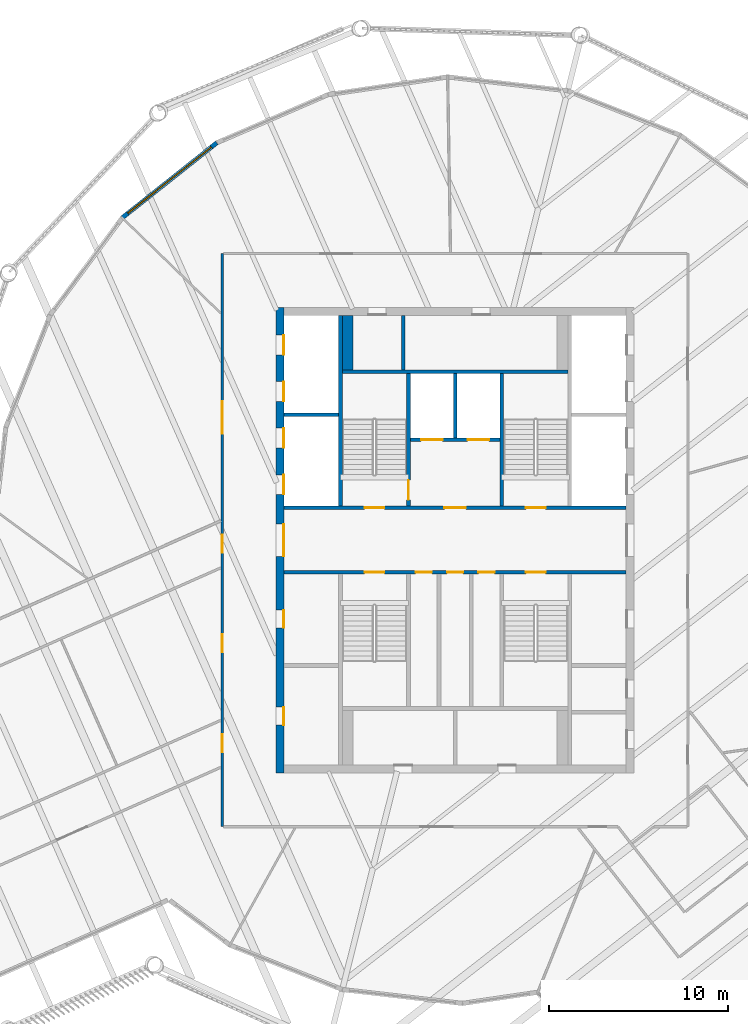
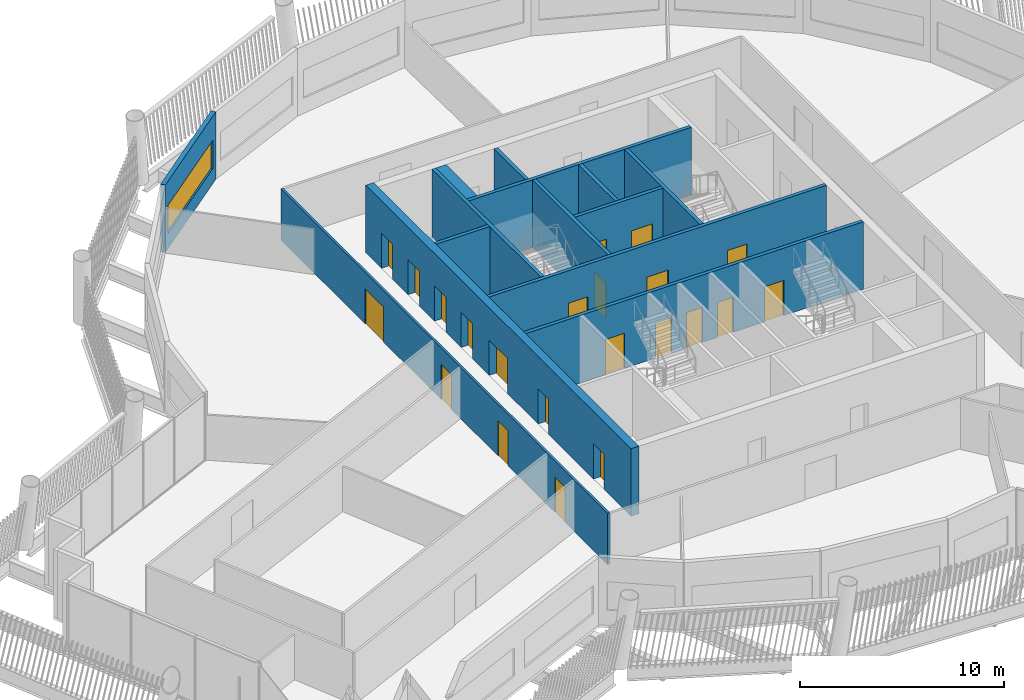
# One storey, part 18 of 28: 22 doors, 14 walls, 1 window, 23 openings.
"""IFC4 building model written with IfcOpenShell, lengths in metres."""

from ifc_helpers import new_model, si_unit, direction, frame, frame_2d, origin, place, context, subcontext, project, spatial, rectangle, extrude, material, layer, layer_set, type_object, element, fill, save


model = new_model("IFC4")

# Units and contexts
model_context = context("Model", 3, precision=1e-05, world=origin(), true_north=direction((0.0, 1.0)))
body_context = subcontext(model_context, "Body", "Model", "MODEL_VIEW")
ifc_project = project(units=[si_unit("LENGTHUNIT", "METRE"), si_unit("AREAUNIT", "SQUARE_METRE"), si_unit("VOLUMEUNIT", "CUBIC_METRE"), si_unit("PLANEANGLEUNIT", "RADIAN"), si_unit("MASSUNIT", "GRAM", prefix="KILO")], contexts=[model_context])

# Site, building, storey
site_placement = place(None, origin())
site = spatial("IfcSite", under=ifc_project, at=site_placement, CompositionType="ELEMENT")
building_placement = place(site_placement, origin())
building = spatial("IfcBuilding", under=site, at=building_placement, Name="Tarsis Ring Headquarters", CompositionType="ELEMENT")
storey_placement = place(building_placement, frame((0.0, 0.0, 381.800048828125)))
storey = spatial("IfcBuildingStorey", under=building, at=storey_placement, Name="L90", CompositionType="ELEMENT", Elevation=381.800048828125)

# Wall
ifc_material_1 = material(Name="Blockwork", Category="masonry")
ifc_layer_1 = layer(ifc_material_1, 0.199951171875)
ifc_layer_set_1 = layer_set([ifc_layer_1], Name="Core blockwork wall 200")
wall_type_1 = type_object("IfcWallType", Name="Core blockwork wall 200", PredefinedType="PARTITIONING", material=ifc_layer_set_1)
wall_1_placement = place(storey_placement, frame((-2.89990234375, 9.5, 0.0), z_axis=(0.0, 0.0, 1.0), x_axis=(0.0, 1.0, 0.0)))
element("IfcWall", 1, at=wall_1_placement, inside=storey, type_object=wall_type_1, Name="Core partition ND1", PredefinedType="PARTITIONING", context=body_context, shape_type="SweptSolid", body=[
    extrude(rectangle(XDim=3.050048828125, YDim=0.199951171875, at=frame_2d((1.52490234375, 0.0))), origin(), (0.0, 0.0, 1.0), 4.0400390625),
])

# Wall, openings, doors
ifc_material_2 = material(Name="Concrete C50/60", Category="concrete")
ifc_layer_2 = layer(ifc_material_2, 0.449951171875)
ifc_layer_set_2 = layer_set([ifc_layer_2], Name="Core wall 450 C50/60")
wall_type_2 = type_object("IfcWallType", Name="Core wall 450 C50/60", PredefinedType="SHEAR", material=ifc_layer_set_2)
wall_2_placement = place(storey_placement, frame((-9.77490234375, -13.0, 0.0), z_axis=(0.0, 0.0, 1.0), x_axis=(0.0, 1.0, 0.0)))
wall_2 = element("IfcWall", 2, at=wall_2_placement, inside=storey, type_object=wall_type_2, Name="Core wall OW", PredefinedType="SHEAR", context=body_context, shape_type="SweptSolid", body=[
    extrude(rectangle(XDim=26.0, YDim=0.449951171875, at=frame_2d((13.0, 0.0))), origin(), (0.0, 0.0, 1.0), 4.0400390625),
])
opening_1_placement = place(wall_2_placement, frame((2.675048828125, 0.0, 0.0)))
opening_1 = element("IfcOpeningElement", 3, at=opening_1_placement, cuts=wall_2, Name="Opening L90-C01", PredefinedType="OPENING", context=body_context, shape_type="SweptSolid", body=[
    extrude(rectangle(XDim=1.0, YDim=2.10009765625, at=frame_2d((0.5, 1.050048828125))), frame((0.0, 0.23486328125, 0.0), z_axis=(0.0, -1.0, 0.0), x_axis=(1.0, 0.0, 0.0)), (0.0, 0.0, 1.0), 0.469970703125),
])
opening_2_placement = place(wall_2_placement, frame((8.10009765625, 0.0, 0.0)))
opening_2 = element("IfcOpeningElement", 4, at=opening_2_placement, cuts=wall_2, Name="Opening L90-C02", PredefinedType="OPENING", context=body_context, shape_type="SweptSolid", body=[
    extrude(rectangle(XDim=1.0, YDim=2.10009765625, at=frame_2d((0.5, 1.050048828125))), frame((0.0, 0.23486328125, 0.0), z_axis=(0.0, -1.0, 0.0), x_axis=(1.0, 0.0, 0.0)), (0.0, 0.0, 1.0), 0.469970703125),
])
opening_3_placement = place(wall_2_placement, frame((12.10009765625, 0.0, 0.0)))
opening_3 = element("IfcOpeningElement", 5, at=opening_3_placement, cuts=wall_2, Name="Opening L90-C03", PredefinedType="OPENING", context=body_context, shape_type="SweptSolid", body=[
    extrude(rectangle(XDim=1.800048828125, YDim=2.10009765625, at=frame_2d((0.89990234375, 1.050048828125))), frame((0.0, 0.23486328125, 0.0), z_axis=(0.0, -1.0, 0.0), x_axis=(1.0, 0.0, 0.0)), (0.0, 0.0, 1.0), 0.469970703125),
])
opening_4_placement = place(wall_2_placement, frame((15.550048828125, 0.0, 0.0)))
opening_4 = element("IfcOpeningElement", 6, at=opening_4_placement, cuts=wall_2, Name="Opening LD-HR1", PredefinedType="OPENING", context=body_context, shape_type="SweptSolid", body=[
    extrude(rectangle(XDim=1.10009765625, YDim=2.10009765625, at=frame_2d((0.550048828125, 1.050048828125))), frame((0.0, 0.23486328125, 0.0), z_axis=(0.0, -1.0, 0.0), x_axis=(1.0, 0.0, 0.0)), (0.0, 0.0, 1.0), 0.469970703125),
])
opening_5_placement = place(wall_2_placement, frame((18.14990234375, 0.0, 0.0)))
opening_5 = element("IfcOpeningElement", 7, at=opening_5_placement, cuts=wall_2, Name="Opening LD-HR2", PredefinedType="OPENING", context=body_context, shape_type="SweptSolid", body=[
    extrude(rectangle(XDim=1.10009765625, YDim=2.10009765625, at=frame_2d((0.550048828125, 1.050048828125))), frame((0.0, 0.23486328125, 0.0), z_axis=(0.0, -1.0, 0.0), x_axis=(1.0, 0.0, 0.0)), (0.0, 0.0, 1.0), 0.469970703125),
])
opening_6_placement = place(wall_2_placement, frame((20.75, 0.0, 0.0)))
opening_6 = element("IfcOpeningElement", 8, at=opening_6_placement, cuts=wall_2, Name="Opening LD-HR3", PredefinedType="OPENING", context=body_context, shape_type="SweptSolid", body=[
    extrude(rectangle(XDim=1.10009765625, YDim=2.10009765625, at=frame_2d((0.550048828125, 1.050048828125))), frame((0.0, 0.23486328125, 0.0), z_axis=(0.0, -1.0, 0.0), x_axis=(1.0, 0.0, 0.0)), (0.0, 0.0, 1.0), 0.469970703125),
])
opening_7_placement = place(wall_2_placement, frame((23.35009765625, 0.0, 0.0)))
opening_7 = element("IfcOpeningElement", 9, at=opening_7_placement, cuts=wall_2, Name="Opening LD-HR4", PredefinedType="OPENING", context=body_context, shape_type="SweptSolid", body=[
    extrude(rectangle(XDim=1.10009765625, YDim=2.10009765625, at=frame_2d((0.550048828125, 1.050048828125))), frame((0.0, 0.23486328125, 0.0), z_axis=(0.0, -1.0, 0.0), x_axis=(1.0, 0.0, 0.0)), (0.0, 0.0, 1.0), 0.469970703125),
])
ifc_material_3 = material(Name="Steel S355", Category="steel")
door_type_1 = type_object("IfcDoorType", Name="Core entry door 1800x2100", OperationType="DOUBLE_DOOR_SINGLE_SWING", PredefinedType="DOOR", material=ifc_material_3)
door_1_placement = place(opening_3_placement, origin())
door_1 = element("IfcDoor", 10, at=door_1_placement, inside=storey, type_object=door_type_1, Name="Core entry door L90", OperationType="DOUBLE_DOOR_SINGLE_SWING", OverallHeight=2.10009765625, OverallWidth=1.800048828125, PredefinedType="DOOR", context=body_context, shape_type="SweptSolid", body=[
    extrude(rectangle(XDim=1.800048828125, YDim=2.10009765625, at=frame_2d((0.89990234375, 1.050048828125))), frame((0.0, -0.1748046875, 0.0), z_axis=(0.0, -1.0, 0.0), x_axis=(1.0, 0.0, 0.0)), (0.0, 0.0, 1.0), 0.050048828125),
])
fill(opening_3, door_1)
door_type_2 = type_object("IfcDoorType", Name="Core room door 1000x2100", OperationType="SINGLE_SWING_LEFT", PredefinedType="DOOR", material=ifc_material_3)
door_2_placement = place(opening_1_placement, origin())
door_2 = element("IfcDoor", 11, at=door_2_placement, inside=storey, type_object=door_type_2, Name="Core room door L90", OperationType="SINGLE_SWING_LEFT", OverallHeight=2.10009765625, OverallWidth=1.0, PredefinedType="DOOR", context=body_context, shape_type="SweptSolid", body=[
    extrude(rectangle(XDim=1.0, YDim=2.10009765625, at=frame_2d((0.5, 1.050048828125))), frame((0.0, -0.1748046875, 0.0), z_axis=(0.0, -1.0, 0.0), x_axis=(1.0, 0.0, 0.0)), (0.0, 0.0, 1.0), 0.050048828125),
])
fill(opening_1, door_2)
door_3_placement = place(opening_2_placement, origin())
door_3 = element("IfcDoor", 12, at=door_3_placement, inside=storey, type_object=door_type_2, Name="Core room door L90", OperationType="SINGLE_SWING_LEFT", OverallHeight=2.10009765625, OverallWidth=1.0, PredefinedType="DOOR", context=body_context, shape_type="SweptSolid", body=[
    extrude(rectangle(XDim=1.0, YDim=2.10009765625, at=frame_2d((0.5, 1.050048828125))), frame((0.0, -0.1748046875, 0.0), z_axis=(0.0, -1.0, 0.0), x_axis=(1.0, 0.0, 0.0)), (0.0, 0.0, 1.0), 0.050048828125),
])
fill(opening_2, door_3)
door_type_3 = type_object("IfcDoorType", Name="Landing door 1100x2100", OperationType="SLIDING_TO_LEFT", PredefinedType="DOOR", material=ifc_material_3)
door_4_placement = place(opening_4_placement, origin())
door_4 = element("IfcDoor", 13, at=door_4_placement, inside=storey, type_object=door_type_3, Name="Landing door HR1 L90", OperationType="SLIDING_TO_LEFT", OverallHeight=2.10009765625, OverallWidth=1.10009765625, PredefinedType="DOOR", context=body_context, shape_type="SweptSolid", body=[
    extrude(rectangle(XDim=1.10009765625, YDim=2.10009765625, at=frame_2d((0.550048828125, 1.050048828125))), frame((0.0, -0.1748046875, 0.0), z_axis=(0.0, -1.0, 0.0), x_axis=(1.0, 0.0, 0.0)), (0.0, 0.0, 1.0), 0.050048828125),
])
fill(opening_4, door_4)
door_5_placement = place(opening_5_placement, origin())
door_5 = element("IfcDoor", 14, at=door_5_placement, inside=storey, type_object=door_type_3, Name="Landing door HR2 L90", OperationType="SLIDING_TO_LEFT", OverallHeight=2.10009765625, OverallWidth=1.10009765625, PredefinedType="DOOR", context=body_context, shape_type="SweptSolid", body=[
    extrude(rectangle(XDim=1.10009765625, YDim=2.10009765625, at=frame_2d((0.550048828125, 1.050048828125))), frame((0.0, -0.1748046875, 0.0), z_axis=(0.0, -1.0, 0.0), x_axis=(1.0, 0.0, 0.0)), (0.0, 0.0, 1.0), 0.050048828125),
])
fill(opening_5, door_5)
door_6_placement = place(opening_6_placement, origin())
door_6 = element("IfcDoor", 15, at=door_6_placement, inside=storey, type_object=door_type_3, Name="Landing door HR3 L90", OperationType="SLIDING_TO_LEFT", OverallHeight=2.10009765625, OverallWidth=1.10009765625, PredefinedType="DOOR", context=body_context, shape_type="SweptSolid", body=[
    extrude(rectangle(XDim=1.10009765625, YDim=2.10009765625, at=frame_2d((0.550048828125, 1.050048828125))), frame((0.0, -0.1748046875, 0.0), z_axis=(0.0, -1.0, 0.0), x_axis=(1.0, 0.0, 0.0)), (0.0, 0.0, 1.0), 0.050048828125),
])
fill(opening_6, door_6)
door_7_placement = place(opening_7_placement, origin())
door_7 = element("IfcDoor", 16, at=door_7_placement, inside=storey, type_object=door_type_3, Name="Landing door HR4 L90", OperationType="SLIDING_TO_LEFT", OverallHeight=2.10009765625, OverallWidth=1.10009765625, PredefinedType="DOOR", context=body_context, shape_type="SweptSolid", body=[
    extrude(rectangle(XDim=1.10009765625, YDim=2.10009765625, at=frame_2d((0.550048828125, 1.050048828125))), frame((0.0, -0.1748046875, 0.0), z_axis=(0.0, -1.0, 0.0), x_axis=(1.0, 0.0, 0.0)), (0.0, 0.0, 1.0), 0.050048828125),
])
fill(opening_7, door_7)

ifc_material_4 = material(Name="Gypsum board on steel studs", Category="steel")
ifc_layer_3 = layer(ifc_material_4, 0.125)
ifc_layer_set_3 = layer_set([ifc_layer_3], Name="FL partition 125 EI 60 H3070")
wall_type_3 = type_object("IfcWallType", Name="FL partition 125 EI 60 H3070", PredefinedType="PARTITIONING", material=ifc_layer_set_3)
wall_3_placement = place(storey_placement, frame((-13.0, -16.0, 0.0), z_axis=(0.0, 0.0, 1.0), x_axis=(0.0, 1.0, 0.0)))
wall_3 = element("IfcWall", 17, at=wall_3_placement, inside=storey, type_object=wall_type_3, Name="Partition PW1H307", PredefinedType="PARTITIONING", context=body_context, shape_type="SweptSolid", body=[
    extrude(rectangle(XDim=32.0, YDim=0.125, at=frame_2d((16.0, 0.0))), origin(), (0.0, 0.0, 1.0), 3.070068359375),
])
opening_8_placement = place(wall_3_placement, frame((21.951904296875, 0.0, 0.0)))
opening_8 = element("IfcOpeningElement", 18, at=opening_8_placement, cuts=wall_3, Name="Opening D90.03", PredefinedType="OPENING", context=body_context, shape_type="SweptSolid", body=[
    extrude(rectangle(XDim=1.800048828125, YDim=2.10009765625, at=frame_2d((0.89990234375, 1.050048828125))), frame((0.0, 0.072509765625, 0.0), z_axis=(0.0, -1.0, 0.0), x_axis=(1.0, 0.0, 0.0)), (0.0, 0.0, 1.0), 0.14501953125),
])
opening_9_placement = place(wall_3_placement, frame((9.73388671875, 0.0, 0.0)))
opening_9 = element("IfcOpeningElement", 19, at=opening_9_placement, cuts=wall_3, Name="Opening D90.10", PredefinedType="OPENING", context=body_context, shape_type="SweptSolid", body=[
    extrude(rectangle(XDim=1.0, YDim=2.10009765625, at=frame_2d((0.5, 1.050048828125))), frame((0.0, 0.072509765625, 0.0), z_axis=(0.0, -1.0, 0.0), x_axis=(1.0, 0.0, 0.0)), (0.0, 0.0, 1.0), 0.14501953125),
])
opening_10_placement = place(wall_3_placement, frame((4.16552734375, 0.0, 0.0)))
opening_10 = element("IfcOpeningElement", 20, at=opening_10_placement, cuts=wall_3, Name="Opening D90.14", PredefinedType="OPENING", context=body_context, shape_type="SweptSolid", body=[
    extrude(rectangle(XDim=1.0, YDim=2.10009765625, at=frame_2d((0.5, 1.050048828125))), frame((0.0, 0.072509765625, 0.0), z_axis=(0.0, -1.0, 0.0), x_axis=(1.0, 0.0, 0.0)), (0.0, 0.0, 1.0), 0.14501953125),
])
opening_11_placement = place(wall_3_placement, frame((15.302001953125, 0.0, 0.0)))
opening_11 = element("IfcOpeningElement", 21, at=opening_11_placement, cuts=wall_3, Name="Opening D90.15", PredefinedType="OPENING", context=body_context, shape_type="SweptSolid", body=[
    extrude(rectangle(XDim=1.0, YDim=2.10009765625, at=frame_2d((0.5, 1.050048828125))), frame((0.0, 0.072509765625, 0.0), z_axis=(0.0, -1.0, 0.0), x_axis=(1.0, 0.0, 0.0)), (0.0, 0.0, 1.0), 0.14501953125),
])
ifc_material_5 = material(Name="Fire-rated timber door leaf in steel frame", Category="steel")
door_type_4 = type_object("IfcDoorType", Name="FL door FD60-1000", OperationType="NOTDEFINED", PredefinedType="DOOR", material=ifc_material_5)
door_8_placement = place(opening_9_placement, origin())
door_8 = element("IfcDoor", 22, at=door_8_placement, inside=storey, type_object=door_type_4, Name="Door D90.10", OperationType="SINGLE_SWING_RIGHT", OverallHeight=2.10009765625, OverallWidth=1.0, PredefinedType="DOOR", context=body_context, shape_type="SweptSolid", body=[
    extrude(rectangle(XDim=1.0, YDim=2.10009765625, at=frame_2d((0.5, 1.050048828125))), frame((0.0, 0.02490234375, 0.0), z_axis=(0.0, -1.0, 0.0), x_axis=(1.0, 0.0, 0.0)), (0.0, 0.0, 1.0), 0.050048828125),
])
fill(opening_9, door_8)
door_9_placement = place(opening_10_placement, origin())
door_9 = element("IfcDoor", 23, at=door_9_placement, inside=storey, type_object=door_type_4, Name="Door D90.14", OperationType="SINGLE_SWING_RIGHT", OverallHeight=2.10009765625, OverallWidth=1.0, PredefinedType="DOOR", context=body_context, shape_type="SweptSolid", body=[
    extrude(rectangle(XDim=1.0, YDim=2.10009765625, at=frame_2d((0.5, 1.050048828125))), frame((0.0, 0.02490234375, 0.0), z_axis=(0.0, -1.0, 0.0), x_axis=(1.0, 0.0, 0.0)), (0.0, 0.0, 1.0), 0.050048828125),
])
fill(opening_10, door_9)
door_10_placement = place(opening_11_placement, origin())
door_10 = element("IfcDoor", 24, at=door_10_placement, inside=storey, type_object=door_type_4, Name="Door D90.15", OperationType="SINGLE_SWING_LEFT", OverallHeight=2.10009765625, OverallWidth=1.0, PredefinedType="DOOR", context=body_context, shape_type="SweptSolid", body=[
    extrude(rectangle(XDim=1.0, YDim=2.10009765625, at=frame_2d((0.5, 1.050048828125))), frame((0.0, 0.02490234375, 0.0), z_axis=(0.0, -1.0, 0.0), x_axis=(1.0, 0.0, 0.0)), (0.0, 0.0, 1.0), 0.050048828125),
])
fill(opening_11, door_10)
door_type_5 = type_object("IfcDoorType", Name="FL door FD60-1800", OperationType="DOUBLE_DOOR_SINGLE_SWING", PredefinedType="DOOR", material=ifc_material_5)
door_11_placement = place(opening_8_placement, origin())
door_11 = element("IfcDoor", 25, at=door_11_placement, inside=storey, type_object=door_type_5, Name="Door D90.03", OperationType="DOUBLE_DOOR_SINGLE_SWING", OverallHeight=2.10009765625, OverallWidth=1.800048828125, PredefinedType="DOOR", context=body_context, shape_type="SweptSolid", body=[
    extrude(rectangle(XDim=1.800048828125, YDim=2.10009765625, at=frame_2d((0.89990234375, 1.050048828125))), frame((0.0, 0.02490234375, 0.0), z_axis=(0.0, -1.0, 0.0), x_axis=(1.0, 0.0, 0.0)), (0.0, 0.0, 1.0), 0.050048828125),
])
fill(opening_8, door_11)

# Wall, opening, window
ifc_material_6 = material(Name="Terracotta clad insulated panel wall", Category="masonry")
ifc_layer_4 = layer(ifc_material_6, 0.25)
ifc_layer_set_4 = layer_set([ifc_layer_4], Name="Facade wall terracotta panel 250")
wall_type_4 = type_object("IfcWallType", Name="Facade wall terracotta panel 250", PredefinedType="STANDARD", material=ifc_layer_set_4)
wall_4_placement = place(storey_placement, frame((-13.307861328125, 22.1865234375, 0.0), z_axis=(0.0, 0.0, 1.0), x_axis=(-0.783498288872, -0.621393942145, 0.0)))
wall_4 = element("IfcWall", 26, at=wall_4_placement, inside=storey, type_object=wall_type_4, Name="External wall L90-27", PredefinedType="STANDARD", context=body_context, shape_type="SweptSolid", body=[
    extrude(rectangle(XDim=6.7216796875, YDim=0.25, at=frame_2d((3.36083984375, 0.0))), origin(), (0.0, 0.0, 1.0), 4.0400390625),
])
opening_12_placement = place(wall_4_placement, frame((0.3857421875, 0.0, 0.89990234375)))
opening_12 = element("IfcOpeningElement", 27, at=opening_12_placement, cuts=wall_4, Name="Opening WN07", PredefinedType="OPENING", context=body_context, shape_type="SweptSolid", body=[
    extrude(rectangle(XDim=5.949951171875, YDim=1.699951171875, at=frame_2d((2.97509765625, 0.85009765625))), frame((0.0, 0.135009765625, 0.0), z_axis=(0.0, -1.0, 0.0), x_axis=(1.0, 0.0, 0.0)), (0.0, 0.0, 1.0), 0.27001953125),
])
ifc_material_7 = material(Name="Aluminium framed double glazing", Category="aluminium")
window_type = type_object("IfcWindowType", Name="Facade window 5950 x 1700", PartitioningType="SINGLE_PANEL", PredefinedType="WINDOW", material=ifc_material_7)
window_placement = place(opening_12_placement, origin())
window = element("IfcWindow", 28, at=window_placement, inside=storey, type_object=window_type, Name="Window L90-27.1", OverallHeight=1.699951171875, OverallWidth=5.949951171875, PartitioningType="SINGLE_PANEL", PredefinedType="WINDOW", context=body_context, shape_type="SweptSolid", body=[
    extrude(rectangle(XDim=5.949951171875, YDim=1.699951171875, at=frame_2d((2.97509765625, 0.85009765625))), frame((0.0, 0.030029296875, 0.0), z_axis=(0.0, -1.0, 0.0), x_axis=(1.0, 0.0, 0.0)), (0.0, 0.0, 1.0), 0.06005859375),
])
fill(opening_12, window)

# Wall
ifc_material_8 = material(Name="Concrete C32/40", Category="concrete")
ifc_layer_5 = layer(ifc_material_8, 0.60009765625)
ifc_layer_set_5 = layer_set([ifc_layer_5], Name="Shaft end wall 600 C32/40")
wall_type_5 = type_object("IfcWallType", Name="Shaft end wall 600 C32/40", PredefinedType="SOLIDWALL", material=ifc_layer_set_5)
wall_5_placement = place(storey_placement, frame((-6.0, 9.5, 0.0), z_axis=(0.0, 0.0, 1.0), x_axis=(0.0, 1.0, 0.0)))
element("IfcWall", 29, at=wall_5_placement, inside=storey, type_object=wall_type_5, Name="Core shaft wall NNE1", PredefinedType="SOLIDWALL", context=body_context, shape_type="SweptSolid", body=[
    extrude(rectangle(XDim=3.050048828125, YDim=0.60009765625, at=frame_2d((1.52490234375, 0.0))), origin(), (0.0, 0.0, 1.0), 4.0400390625),
])

# Wall, openings, doors
ifc_layer_6 = layer(ifc_material_8, 0.199951171875)
ifc_layer_set_6 = layer_set([ifc_layer_6], Name="Shaft wall 200 C32/40")
wall_type_6 = type_object("IfcWallType", Name="Shaft wall 200 C32/40", PredefinedType="SOLIDWALL", material=ifc_layer_set_6)
wall_6_placement = place(storey_placement, frame((-9.550048828125, 1.800048828125, 0.0), z_axis=(0.0, 0.0, 1.0), x_axis=(1.0, 0.0, 0.0)))
wall_6 = element("IfcWall", 30, at=wall_6_placement, inside=storey, type_object=wall_type_6, Name="Core shaft wall CN", PredefinedType="SOLIDWALL", context=body_context, shape_type="SweptSolid", body=[
    extrude(rectangle(XDim=19.10009765625, YDim=0.199951171875, at=frame_2d((9.550048828125, 0.0))), origin(), (0.0, 0.0, 1.0), 4.0400390625),
])
opening_13_placement = place(wall_6_placement, frame((4.5, 0.0, 0.0)))
opening_13 = element("IfcOpeningElement", 31, at=opening_13_placement, cuts=wall_6, Name="Opening L90-C20", PredefinedType="OPENING", context=body_context, shape_type="SweptSolid", body=[
    extrude(rectangle(XDim=1.10009765625, YDim=2.10009765625, at=frame_2d((0.550048828125, 1.050048828125))), frame((0.0, 0.10986328125, 0.0), z_axis=(0.0, -1.0, 0.0), x_axis=(1.0, 0.0, 0.0)), (0.0, 0.0, 1.0), 0.219970703125),
])
opening_14_placement = place(wall_6_placement, frame((8.949951171875, 0.0, 0.0)))
opening_14 = element("IfcOpeningElement", 32, at=opening_14_placement, cuts=wall_6, Name="Opening L90-C21", PredefinedType="OPENING", context=body_context, shape_type="SweptSolid", body=[
    extrude(rectangle(XDim=1.199951171875, YDim=2.10009765625, at=frame_2d((0.60009765625, 1.050048828125))), frame((0.0, 0.10986328125, 0.0), z_axis=(0.0, -1.0, 0.0), x_axis=(1.0, 0.0, 0.0)), (0.0, 0.0, 1.0), 0.219970703125),
])
opening_15_placement = place(wall_6_placement, frame((13.5, 0.0, 0.0)))
opening_15 = element("IfcOpeningElement", 33, at=opening_15_placement, cuts=wall_6, Name="Opening L90-C22", PredefinedType="OPENING", context=body_context, shape_type="SweptSolid", body=[
    extrude(rectangle(XDim=1.10009765625, YDim=2.10009765625, at=frame_2d((0.550048828125, 1.050048828125))), frame((0.0, 0.10986328125, 0.0), z_axis=(0.0, -1.0, 0.0), x_axis=(1.0, 0.0, 0.0)), (0.0, 0.0, 1.0), 0.219970703125),
])
door_type_6 = type_object("IfcDoorType", Name="Firefighting lobby door 1200x2100", OperationType="DOUBLE_DOOR_SINGLE_SWING", PredefinedType="DOOR", material=ifc_material_3)
door_12_placement = place(opening_14_placement, origin())
door_12 = element("IfcDoor", 34, at=door_12_placement, inside=storey, type_object=door_type_6, Name="Firefighting lobby door L90", OperationType="DOUBLE_DOOR_SINGLE_SWING", OverallHeight=2.10009765625, OverallWidth=1.199951171875, PredefinedType="DOOR", context=body_context, shape_type="SweptSolid", body=[
    extrude(rectangle(XDim=1.199951171875, YDim=2.10009765625, at=frame_2d((0.60009765625, 1.050048828125))), frame((0.0, 0.02490234375, 0.0), z_axis=(0.0, -1.0, 0.0), x_axis=(1.0, 0.0, 0.0)), (0.0, 0.0, 1.0), 0.050048828125),
])
fill(opening_14, door_12)
door_type_7 = type_object("IfcDoorType", Name="Stair door 1100x2100", OperationType="SINGLE_SWING_LEFT", PredefinedType="DOOR", material=ifc_material_3)
door_13_placement = place(opening_13_placement, origin())
door_13 = element("IfcDoor", 35, at=door_13_placement, inside=storey, type_object=door_type_7, Name="Stair door L90", OperationType="SINGLE_SWING_LEFT", OverallHeight=2.10009765625, OverallWidth=1.10009765625, PredefinedType="DOOR", context=body_context, shape_type="SweptSolid", body=[
    extrude(rectangle(XDim=1.10009765625, YDim=2.10009765625, at=frame_2d((0.550048828125, 1.050048828125))), frame((0.0, 0.02490234375, 0.0), z_axis=(0.0, -1.0, 0.0), x_axis=(1.0, 0.0, 0.0)), (0.0, 0.0, 1.0), 0.050048828125),
])
fill(opening_13, door_13)
door_14_placement = place(opening_15_placement, origin())
door_14 = element("IfcDoor", 36, at=door_14_placement, inside=storey, type_object=door_type_7, Name="Stair door L90", OperationType="SINGLE_SWING_LEFT", OverallHeight=2.10009765625, OverallWidth=1.10009765625, PredefinedType="DOOR", context=body_context, shape_type="SweptSolid", body=[
    extrude(rectangle(XDim=1.10009765625, YDim=2.10009765625, at=frame_2d((0.550048828125, 1.050048828125))), frame((0.0, 0.02490234375, 0.0), z_axis=(0.0, -1.0, 0.0), x_axis=(1.0, 0.0, 0.0)), (0.0, 0.0, 1.0), 0.050048828125),
])
fill(opening_15, door_14)

wall_7_placement = place(storey_placement, frame((-9.550048828125, -1.800048828125, 0.0), z_axis=(0.0, 0.0, 1.0), x_axis=(1.0, 0.0, 0.0)))
wall_7 = element("IfcWall", 37, at=wall_7_placement, inside=storey, type_object=wall_type_6, Name="Core shaft wall CS", PredefinedType="SOLIDWALL", context=body_context, shape_type="SweptSolid", body=[
    extrude(rectangle(XDim=19.10009765625, YDim=0.199951171875, at=frame_2d((9.550048828125, 0.0))), origin(), (0.0, 0.0, 1.0), 4.0400390625),
])
opening_16_placement = place(wall_7_placement, frame((4.5, 0.0, 0.0)))
opening_16 = element("IfcOpeningElement", 38, at=opening_16_placement, cuts=wall_7, Name="Opening L90-C23", PredefinedType="OPENING", context=body_context, shape_type="SweptSolid", body=[
    extrude(rectangle(XDim=1.10009765625, YDim=2.10009765625, at=frame_2d((0.550048828125, 1.050048828125))), frame((0.0, 0.10986328125, 0.0), z_axis=(0.0, -1.0, 0.0), x_axis=(1.0, 0.0, 0.0)), (0.0, 0.0, 1.0), 0.219970703125),
])
opening_17_placement = place(wall_7_placement, frame((7.35009765625, 0.0, 0.0)))
opening_17 = element("IfcOpeningElement", 39, at=opening_17_placement, cuts=wall_7, Name="Opening L90-C24", PredefinedType="OPENING", context=body_context, shape_type="SweptSolid", body=[
    extrude(rectangle(XDim=0.89990234375, YDim=2.10009765625, at=frame_2d((0.449951171875, 1.050048828125))), frame((0.0, 0.10986328125, 0.0), z_axis=(0.0, -1.0, 0.0), x_axis=(1.0, 0.0, 0.0)), (0.0, 0.0, 1.0), 0.219970703125),
])
opening_18_placement = place(wall_7_placement, frame((9.10009765625, 0.0, 0.0)))
opening_18 = element("IfcOpeningElement", 40, at=opening_18_placement, cuts=wall_7, Name="Opening L90-C25", PredefinedType="OPENING", context=body_context, shape_type="SweptSolid", body=[
    extrude(rectangle(XDim=0.89990234375, YDim=2.10009765625, at=frame_2d((0.449951171875, 1.050048828125))), frame((0.0, 0.10986328125, 0.0), z_axis=(0.0, -1.0, 0.0), x_axis=(1.0, 0.0, 0.0)), (0.0, 0.0, 1.0), 0.219970703125),
])
opening_19_placement = place(wall_7_placement, frame((10.85009765625, 0.0, 0.0)))
opening_19 = element("IfcOpeningElement", 41, at=opening_19_placement, cuts=wall_7, Name="Opening L90-C26", PredefinedType="OPENING", context=body_context, shape_type="SweptSolid", body=[
    extrude(rectangle(XDim=0.89990234375, YDim=2.10009765625, at=frame_2d((0.449951171875, 1.050048828125))), frame((0.0, 0.10986328125, 0.0), z_axis=(0.0, -1.0, 0.0), x_axis=(1.0, 0.0, 0.0)), (0.0, 0.0, 1.0), 0.219970703125),
])
opening_20_placement = place(wall_7_placement, frame((13.5, 0.0, 0.0)))
opening_20 = element("IfcOpeningElement", 42, at=opening_20_placement, cuts=wall_7, Name="Opening L90-C27", PredefinedType="OPENING", context=body_context, shape_type="SweptSolid", body=[
    extrude(rectangle(XDim=1.10009765625, YDim=2.10009765625, at=frame_2d((0.550048828125, 1.050048828125))), frame((0.0, 0.10986328125, 0.0), z_axis=(0.0, -1.0, 0.0), x_axis=(1.0, 0.0, 0.0)), (0.0, 0.0, 1.0), 0.219970703125),
])
door_15_placement = place(opening_16_placement, origin())
door_15 = element("IfcDoor", 43, at=door_15_placement, inside=storey, type_object=door_type_7, Name="Stair door L90", OperationType="SINGLE_SWING_LEFT", OverallHeight=2.10009765625, OverallWidth=1.10009765625, PredefinedType="DOOR", context=body_context, shape_type="SweptSolid", body=[
    extrude(rectangle(XDim=1.10009765625, YDim=2.10009765625, at=frame_2d((0.550048828125, 1.050048828125))), frame((0.0, 0.02490234375, 0.0), z_axis=(0.0, -1.0, 0.0), x_axis=(1.0, 0.0, 0.0)), (0.0, 0.0, 1.0), 0.050048828125),
])
fill(opening_16, door_15)
door_16_placement = place(opening_20_placement, origin())
door_16 = element("IfcDoor", 44, at=door_16_placement, inside=storey, type_object=door_type_7, Name="Stair door L90", OperationType="SINGLE_SWING_LEFT", OverallHeight=2.10009765625, OverallWidth=1.10009765625, PredefinedType="DOOR", context=body_context, shape_type="SweptSolid", body=[
    extrude(rectangle(XDim=1.10009765625, YDim=2.10009765625, at=frame_2d((0.550048828125, 1.050048828125))), frame((0.0, 0.02490234375, 0.0), z_axis=(0.0, -1.0, 0.0), x_axis=(1.0, 0.0, 0.0)), (0.0, 0.0, 1.0), 0.050048828125),
])
fill(opening_20, door_16)
door_type_8 = type_object("IfcDoorType", Name="WC door 900x2100", OperationType="SINGLE_SWING_LEFT", PredefinedType="DOOR", material=ifc_material_3)
door_17_placement = place(opening_17_placement, origin())
door_17 = element("IfcDoor", 45, at=door_17_placement, inside=storey, type_object=door_type_8, Name="WC door L90", OperationType="SINGLE_SWING_LEFT", OverallHeight=2.10009765625, OverallWidth=0.89990234375, PredefinedType="DOOR", context=body_context, shape_type="SweptSolid", body=[
    extrude(rectangle(XDim=0.89990234375, YDim=2.10009765625, at=frame_2d((0.449951171875, 1.050048828125))), frame((0.0, 0.02490234375, 0.0), z_axis=(0.0, -1.0, 0.0), x_axis=(1.0, 0.0, 0.0)), (0.0, 0.0, 1.0), 0.050048828125),
])
fill(opening_17, door_17)
door_18_placement = place(opening_18_placement, origin())
door_18 = element("IfcDoor", 46, at=door_18_placement, inside=storey, type_object=door_type_8, Name="WC door L90", OperationType="SINGLE_SWING_LEFT", OverallHeight=2.10009765625, OverallWidth=0.89990234375, PredefinedType="DOOR", context=body_context, shape_type="SweptSolid", body=[
    extrude(rectangle(XDim=0.89990234375, YDim=2.10009765625, at=frame_2d((0.449951171875, 1.050048828125))), frame((0.0, 0.02490234375, 0.0), z_axis=(0.0, -1.0, 0.0), x_axis=(1.0, 0.0, 0.0)), (0.0, 0.0, 1.0), 0.050048828125),
])
fill(opening_18, door_18)
door_19_placement = place(opening_19_placement, origin())
door_19 = element("IfcDoor", 47, at=door_19_placement, inside=storey, type_object=door_type_8, Name="WC door L90", OperationType="SINGLE_SWING_LEFT", OverallHeight=2.10009765625, OverallWidth=0.89990234375, PredefinedType="DOOR", context=body_context, shape_type="SweptSolid", body=[
    extrude(rectangle(XDim=0.89990234375, YDim=2.10009765625, at=frame_2d((0.449951171875, 1.050048828125))), frame((0.0, 0.02490234375, 0.0), z_axis=(0.0, -1.0, 0.0), x_axis=(1.0, 0.0, 0.0)), (0.0, 0.0, 1.0), 0.050048828125),
])
fill(opening_19, door_19)

# Walls
wall_8_placement = place(storey_placement, frame((-6.39990234375, 1.89990234375, 0.0), z_axis=(0.0, 0.0, 1.0), x_axis=(0.0, 1.0, 0.0)))
element("IfcWall", 48, at=wall_8_placement, inside=storey, type_object=wall_type_6, Name="Core shaft wall WB2", PredefinedType="SOLIDWALL", context=body_context, shape_type="SweptSolid", body=[
    extrude(rectangle(XDim=10.650146484375, YDim=0.199951171875, at=frame_2d((5.3251953125, 0.0))), origin(), (0.0, 0.0, 1.0), 4.0400390625),
])
wall_9_placement = place(storey_placement, frame((-6.300048828125, 9.39990234375, 0.0), z_axis=(0.0, 0.0, 1.0), x_axis=(1.0, 0.0, 0.0)))
element("IfcWall", 49, at=wall_9_placement, inside=storey, type_object=wall_type_6, Name="Core shaft wall NB", PredefinedType="SOLIDWALL", context=body_context, shape_type="SweptSolid", body=[
    extrude(rectangle(XDim=12.60009765625, YDim=0.199951171875, at=frame_2d((6.300048828125, 0.0))), origin(), (0.0, 0.0, 1.0), 4.0400390625),
])

# Wall, opening, door
wall_10_placement = place(storey_placement, frame((-2.60009765625, 1.89990234375, 0.0), z_axis=(0.0, 0.0, 1.0), x_axis=(0.0, 1.0, 0.0)))
wall_10 = element("IfcWall", 50, at=wall_10_placement, inside=storey, type_object=wall_type_6, Name="Core shaft wall SW1", PredefinedType="SOLIDWALL", context=body_context, shape_type="SweptSolid", body=[
    extrude(rectangle(XDim=7.400146484375, YDim=0.199951171875, at=frame_2d((3.7001953125, 0.0))), origin(), (0.0, 0.0, 1.0), 4.0400390625),
])
opening_21_placement = place(wall_10_placement, frame((0.35009765625, 0.0, 0.0)))
opening_21 = element("IfcOpeningElement", 51, at=opening_21_placement, cuts=wall_10, Name="Opening L90-C28", PredefinedType="OPENING", context=body_context, shape_type="SweptSolid", body=[
    extrude(rectangle(XDim=1.10009765625, YDim=2.10009765625, at=frame_2d((0.550048828125, 1.050048828125))), frame((0.0, 0.10986328125, 0.0), z_axis=(0.0, -1.0, 0.0), x_axis=(1.0, 0.0, 0.0)), (0.0, 0.0, 1.0), 0.219970703125),
])
door_20_placement = place(opening_21_placement, origin())
door_20 = element("IfcDoor", 52, at=door_20_placement, inside=storey, type_object=door_type_7, Name="Stair door L90", OperationType="SINGLE_SWING_LEFT", OverallHeight=2.10009765625, OverallWidth=1.10009765625, PredefinedType="DOOR", context=body_context, shape_type="SweptSolid", body=[
    extrude(rectangle(XDim=1.10009765625, YDim=2.10009765625, at=frame_2d((0.550048828125, 1.050048828125))), frame((0.0, 0.02490234375, 0.0), z_axis=(0.0, -1.0, 0.0), x_axis=(1.0, 0.0, 0.0)), (0.0, 0.0, 1.0), 0.050048828125),
])
fill(opening_21, door_20)

# Wall
wall_11_placement = place(storey_placement, frame((2.60009765625, 1.89990234375, 0.0), z_axis=(0.0, 0.0, 1.0), x_axis=(0.0, 1.0, 0.0)))
element("IfcWall", 53, at=wall_11_placement, inside=storey, type_object=wall_type_6, Name="Core shaft wall SW2", PredefinedType="SOLIDWALL", context=body_context, shape_type="SweptSolid", body=[
    extrude(rectangle(XDim=7.400146484375, YDim=0.199951171875, at=frame_2d((3.7001953125, 0.0))), origin(), (0.0, 0.0, 1.0), 4.0400390625),
])

# Wall, openings, doors
wall_12_placement = place(storey_placement, frame((-2.5, 5.60009765625, 0.0), z_axis=(0.0, 0.0, 1.0), x_axis=(1.0, 0.0, 0.0)))
wall_12 = element("IfcWall", 54, at=wall_12_placement, inside=storey, type_object=wall_type_6, Name="Core shaft wall FFN", PredefinedType="SOLIDWALL", context=body_context, shape_type="SweptSolid", body=[
    extrude(rectangle(XDim=5.0, YDim=0.199951171875, at=frame_2d((2.5, 0.0))), origin(), (0.0, 0.0, 1.0), 4.0400390625),
])
opening_22_placement = place(wall_12_placement, frame((0.60009765625, 0.0, 0.0)))
opening_22 = element("IfcOpeningElement", 55, at=opening_22_placement, cuts=wall_12, Name="Opening LDF-1", PredefinedType="OPENING", context=body_context, shape_type="SweptSolid", body=[
    extrude(rectangle(XDim=1.199951171875, YDim=2.10009765625, at=frame_2d((0.60009765625, 1.050048828125))), frame((0.0, 0.10986328125, 0.0), z_axis=(0.0, -1.0, 0.0), x_axis=(1.0, 0.0, 0.0)), (0.0, 0.0, 1.0), 0.219970703125),
])
opening_23_placement = place(wall_12_placement, frame((3.199951171875, 0.0, 0.0)))
opening_23 = element("IfcOpeningElement", 56, at=opening_23_placement, cuts=wall_12, Name="Opening LDF-2", PredefinedType="OPENING", context=body_context, shape_type="SweptSolid", body=[
    extrude(rectangle(XDim=1.199951171875, YDim=2.10009765625, at=frame_2d((0.60009765625, 1.050048828125))), frame((0.0, 0.10986328125, 0.0), z_axis=(0.0, -1.0, 0.0), x_axis=(1.0, 0.0, 0.0)), (0.0, 0.0, 1.0), 0.219970703125),
])
door_type_9 = type_object("IfcDoorType", Name="Firefighting landing door 1200x2100", OperationType="SLIDING_TO_LEFT", PredefinedType="DOOR", material=ifc_material_3)
door_21_placement = place(opening_22_placement, origin())
door_21 = element("IfcDoor", 57, at=door_21_placement, inside=storey, type_object=door_type_9, Name="Landing door FF1 L90", OperationType="SLIDING_TO_LEFT", OverallHeight=2.10009765625, OverallWidth=1.199951171875, PredefinedType="DOOR", context=body_context, shape_type="SweptSolid", body=[
    extrude(rectangle(XDim=1.199951171875, YDim=2.10009765625, at=frame_2d((0.60009765625, 1.050048828125))), frame((0.0, 0.02490234375, 0.0), z_axis=(0.0, -1.0, 0.0), x_axis=(1.0, 0.0, 0.0)), (0.0, 0.0, 1.0), 0.050048828125),
])
fill(opening_22, door_21)
door_22_placement = place(opening_23_placement, origin())
door_22 = element("IfcDoor", 58, at=door_22_placement, inside=storey, type_object=door_type_9, Name="Landing door FF2 L90", OperationType="SLIDING_TO_LEFT", OverallHeight=2.10009765625, OverallWidth=1.199951171875, PredefinedType="DOOR", context=body_context, shape_type="SweptSolid", body=[
    extrude(rectangle(XDim=1.199951171875, YDim=2.10009765625, at=frame_2d((0.60009765625, 1.050048828125))), frame((0.0, 0.02490234375, 0.0), z_axis=(0.0, -1.0, 0.0), x_axis=(1.0, 0.0, 0.0)), (0.0, 0.0, 1.0), 0.050048828125),
])
fill(opening_23, door_22)

# Walls
wall_13_placement = place(storey_placement, frame((0.0, 5.699951171875, 0.0), z_axis=(0.0, 0.0, 1.0), x_axis=(0.0, 1.0, 0.0)))
element("IfcWall", 59, at=wall_13_placement, inside=storey, type_object=wall_type_6, Name="Core shaft wall FFD", PredefinedType="SOLIDWALL", context=body_context, shape_type="SweptSolid", body=[
    extrude(rectangle(XDim=3.60009765625, YDim=0.199951171875, at=frame_2d((1.800048828125, 0.0))), origin(), (0.0, 0.0, 1.0), 4.0400390625),
])
wall_14_placement = place(storey_placement, frame((-9.550048828125, 7.0, 0.0), z_axis=(0.0, 0.0, 1.0), x_axis=(1.0, 0.0, 0.0)))
element("IfcWall", 60, at=wall_14_placement, inside=storey, type_object=wall_type_6, Name="Core shaft wall WD6", PredefinedType="SOLIDWALL", context=body_context, shape_type="SweptSolid", body=[
    extrude(rectangle(XDim=3.050048828125, YDim=0.199951171875, at=frame_2d((1.52490234375, 0.0))), origin(), (0.0, 0.0, 1.0), 4.0400390625),
])

save(model, "model.ifc")
